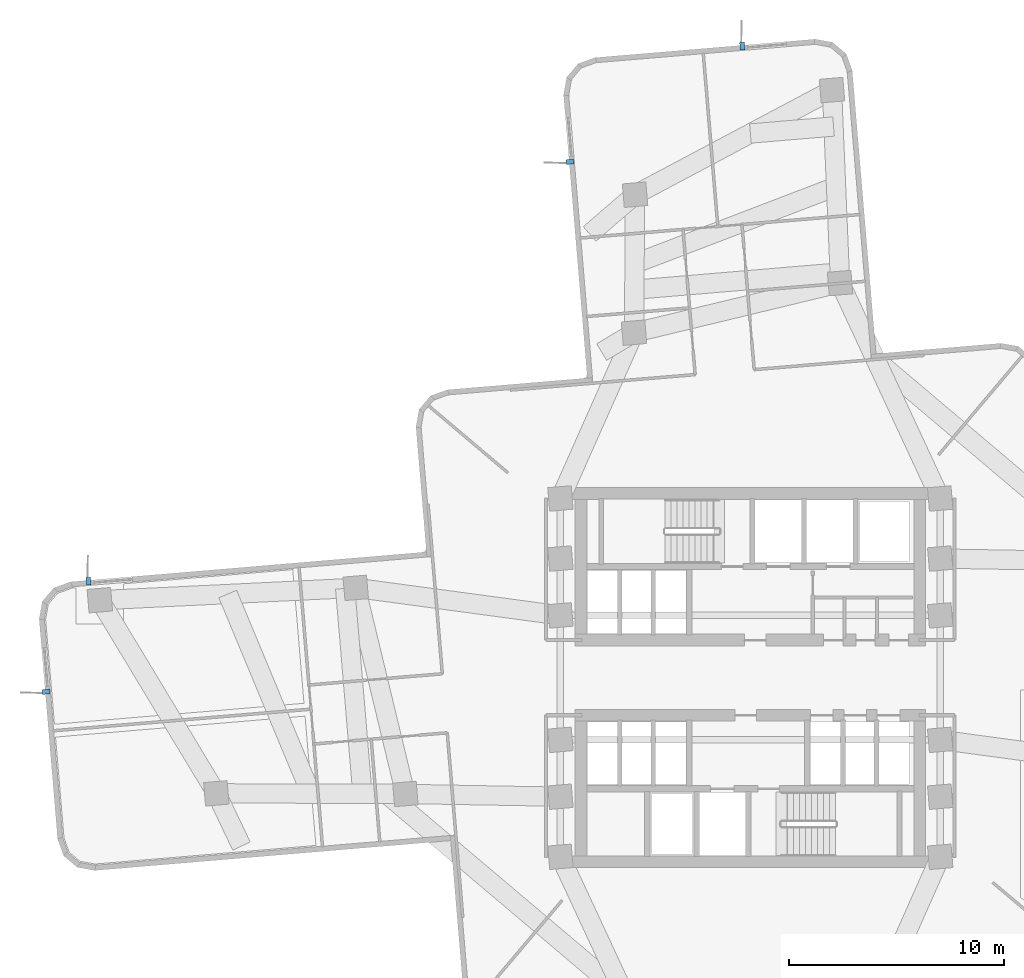
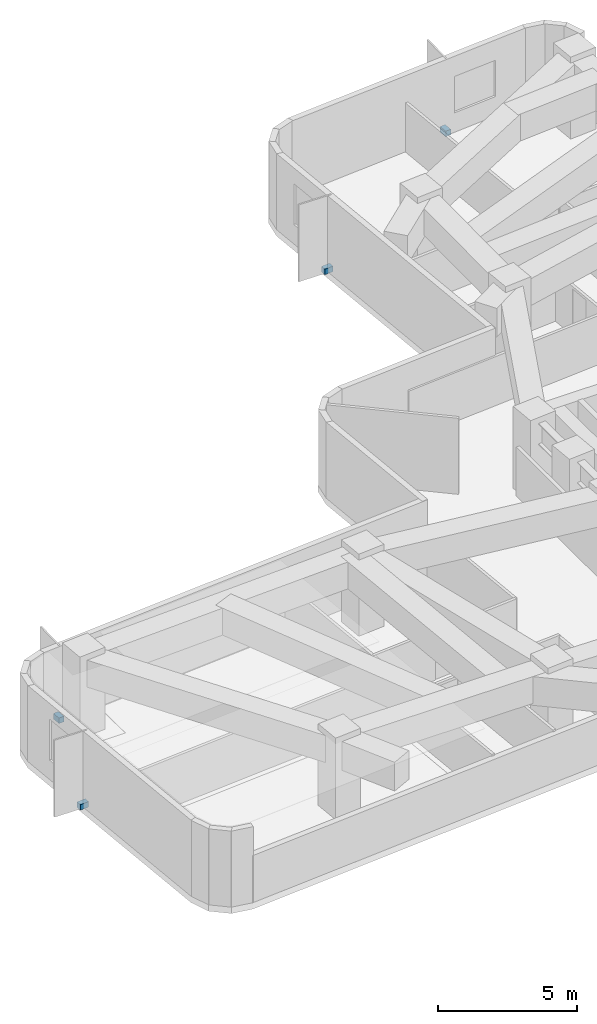
# One storey, part 7 of 11: 4 discrete accessories.
"""IFC4 building model written with IfcOpenShell, lengths in metres."""

from ifc_helpers import new_model, si_unit, direction, frame, origin, origin_2d, place, context, subcontext, project, spatial, rectangle, extrude, material, type_object, element, save


model = new_model("IFC4")

# Units and contexts
model_context = context("Model", 3, precision=1e-05, world=origin(), true_north=direction((0.0, 1.0)))
body_context = subcontext(model_context, "Body", "Model", "MODEL_VIEW")
ifc_project = project(units=[si_unit("LENGTHUNIT", "METRE"), si_unit("AREAUNIT", "SQUARE_METRE"), si_unit("VOLUMEUNIT", "CUBIC_METRE"), si_unit("PLANEANGLEUNIT", "RADIAN"), si_unit("MASSUNIT", "GRAM", prefix="KILO")], contexts=[model_context])

# Site, building, storey
site_placement = place(None, origin())
site = spatial("IfcSite", under=ifc_project, at=site_placement, CompositionType="ELEMENT")
building_placement = place(site_placement, origin())
building = spatial("IfcBuilding", under=site, at=building_placement, Name="Solmarez Civic Tower", CompositionType="ELEMENT")
storey_placement = place(building_placement, frame((0.0, 0.0, 64.080078125)))
storey = spatial("IfcBuildingStorey", under=building, at=storey_placement, Name="L16", CompositionType="ELEMENT", Elevation=64.080078125)

# Discrete accessories
ifc_material = material(Name="Stainless Steel Grade 1.4401", Category="steel")
discrete_accessory_type = type_object("IfcDiscreteAccessoryType", Name="BRACKET-SS-FIN", PredefinedType="BRACKET", material=ifc_material)
for number, where, z_axis, x_axis, name in (
    (1, (-32.820068359375, -0.659912109375, -0.06005859375), (0.0, 0.0, 1.0), (-0.99649452419, -0.083658013717, 0.0), "L16 Stainless Fin Support Bracket FIN-L16-01"),
    (2, (-30.843994140625, 4.4951171875, -0.06005859375), (0.0, 0.0, 1.0), (-0.083682684556, 0.996492452709, 0.0), "L16 Stainless Fin Support Bracket FIN-L16-02"),
    (3, (-8.40087890625, 24.0400390625, -0.06005859375), (0.0, 0.0, 1.0), (-0.996495481408, -0.083646611009, 0.0), "L16 Stainless Fin Support Bracket FIN-L16-03"),
    (4, (-0.375, 29.431884765625, -0.06005859375), (0.0, 0.0, 1.0), (-0.083649895599, 0.996495205692, 0.0), "L16 Stainless Fin Support Bracket FIN-L16-04"),
):
    element("IfcDiscreteAccessory", number, at=place(storey_placement, frame(where, z_axis=z_axis, x_axis=x_axis)), inside=storey, type_object=discrete_accessory_type, Name=name, PredefinedType="BRACKET", context=body_context, shape_type="SweptSolid", body=[
        extrude(rectangle(XDim=0.360107421875, YDim=0.219970703125, at=origin_2d()), origin(), (0.0, 0.0, 1.0), 0.239990234375),
    ])

save(model, "model.ifc")
